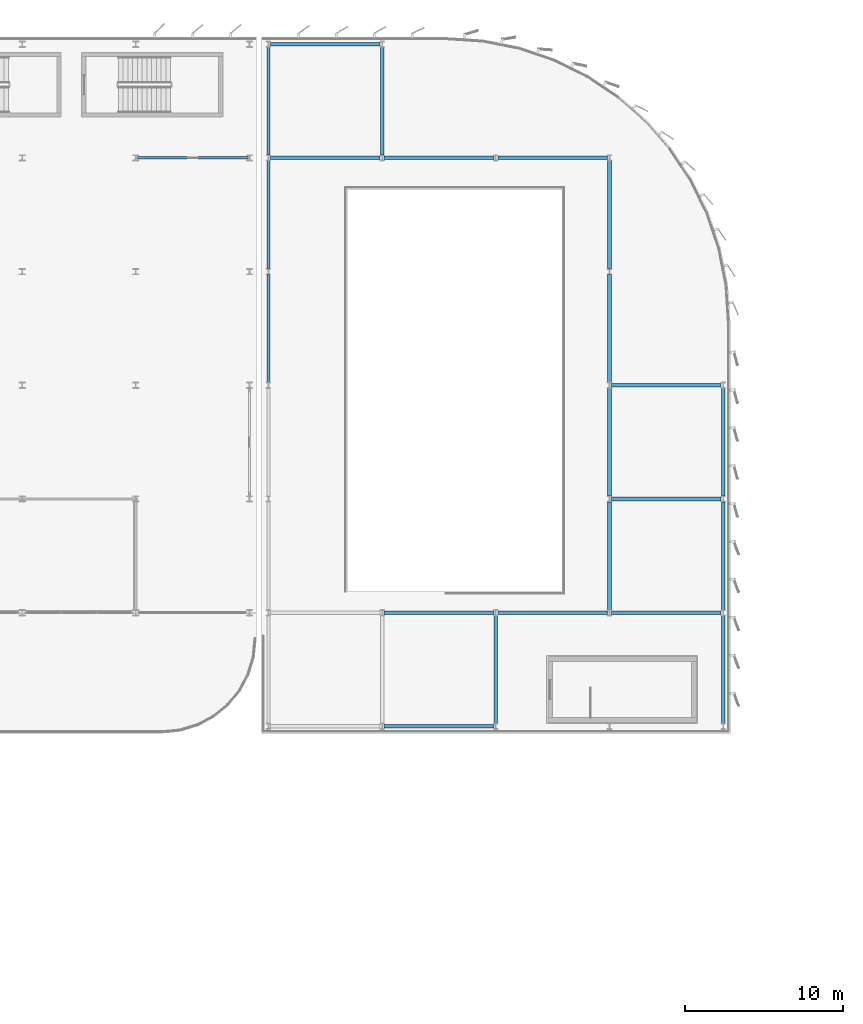
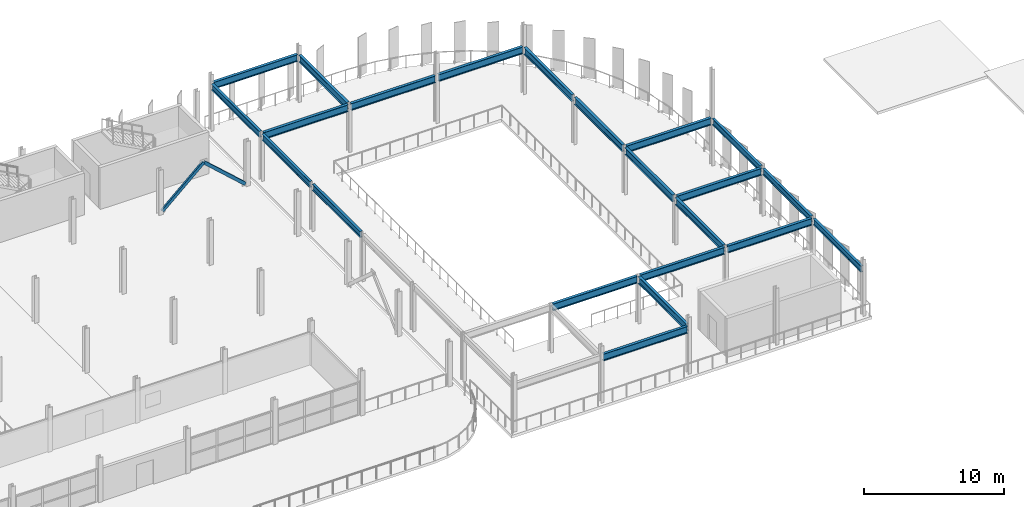
# One storey, part 17 of 40: 22 beams, 2 members.
"""IFC4 building model written with IfcOpenShell, lengths in metres."""

import ifcopenshell
import ifcopenshell.guid

model = None  # the IFC model being written
_history = None  # IfcOwnerHistory: only IFC2X3 demands one
_inside = {}  # id of a spatial element -> (the spatial element, [elements in it])
_under = {}  # id of a project, library or spatial element -> (it, [spatial elements below it])
_declared = {}  # id of a project -> (the project, [libraries it declares])
_typed = {}  # id of a type object -> (the type object, [elements of that type])
_made_of = {}  # id of a material, layer set ... -> (it, [elements and type objects made of it])


def new_model(schema):
    """Start an empty IFC model of exactly this schema.

    Asked for "IFC4X3", IfcOpenShell would pick the latest addendum, in which some entities
    have other attributes; the version numbers below select the first issue.
    IFC2X3 requires an IfcOwnerHistory on every rooted entity: one is made here for all.
    """
    global model, _history
    if schema == "IFC4X3":
        model = ifcopenshell.file(schema_version=(4, 3, 0, 0))
    else:
        model = ifcopenshell.file(schema=schema)
    _inside.clear()
    _under.clear()
    _declared.clear()
    _typed.clear()
    _made_of.clear()
    _history = None
    if model.schema == "IFC2X3":
        org = make("IfcOrganization", Name="unknown")
        user = make(
            "IfcPersonAndOrganization",
            ThePerson=make("IfcPerson", FamilyName="unknown"),
            TheOrganization=org,
        )
        app = make(
            "IfcApplication",
            ApplicationDeveloper=org,
            Version="unknown",
            ApplicationFullName="unknown",
            ApplicationIdentifier="unknown",
        )
        _history = make(
            "IfcOwnerHistory",
            OwningUser=user,
            OwningApplication=app,
            ChangeAction="ADDED",
            CreationDate=0,
        )
    return model


def make(cls, **values):
    """One entity of the class cls with the attributes given. An attribute that is None is left unset."""
    return model.create_entity(
        cls, **{name: value for name, value in values.items() if value is not None}
    )


def rooted(cls, **values):
    """An entity with a GlobalId (a new one), such as an element, a storey or a relation."""
    return make(cls, GlobalId=ifcopenshell.guid.new(), OwnerHistory=_history, **values)


def si_unit(unit_type, name, prefix=None):
    """IfcSIUnit, for example si_unit("LENGTHUNIT", "METRE", prefix="MILLI")."""
    return make("IfcSIUnit", UnitType=unit_type, Prefix=prefix, Name=name)


def assignment(units):
    """IfcUnitAssignment: the units of a project."""
    return None if units is None else make("IfcUnitAssignment", Units=units)


def point(xyz):
    """IfcCartesianPoint."""
    return None if xyz is None else make("IfcCartesianPoint", Coordinates=xyz)


def direction(xyz):
    """IfcDirection."""
    return None if xyz is None else make("IfcDirection", DirectionRatios=xyz)


def frame(location, z_axis=None, x_axis=None):
    """IfcAxis2Placement3D, a coordinate frame: its origin and axes. An axis left out is left unset."""
    return make(
        "IfcAxis2Placement3D",
        Location=point(location),
        Axis=direction(z_axis),
        RefDirection=direction(x_axis),
    )


def frame_2d(location, x_axis=None):
    """IfcAxis2Placement2D, a coordinate frame in the plane: its origin and x axis."""
    return make(
        "IfcAxis2Placement2D", Location=point(location), RefDirection=direction(x_axis)
    )


def origin():
    """The frame at (0, 0, 0) with its axes left unset."""
    return frame((0.0, 0.0, 0.0))


def origin_2d():
    """The frame at (0, 0) in the plane with its x axis left unset."""
    return frame_2d((0.0, 0.0))


def place(relative_to, where):
    """IfcLocalPlacement: puts the frame where relative to a parent placement (None: the world)."""
    return make(
        "IfcLocalPlacement", PlacementRelTo=relative_to, RelativePlacement=where
    )


def context(
    kind, dimensions, precision=None, world=None, true_north=None, identifier=None
):
    """IfcGeometricRepresentationContext, for example the 3D "Model" context."""
    return make(
        "IfcGeometricRepresentationContext",
        ContextIdentifier=identifier,
        ContextType=kind,
        CoordinateSpaceDimension=dimensions,
        Precision=precision,
        WorldCoordinateSystem=world,
        TrueNorth=true_north,
    )


def subcontext(parent, identifier, kind, view, scale=None):
    """IfcGeometricRepresentationSubContext, for example "Body" below "Model"."""
    return make(
        "IfcGeometricRepresentationSubContext",
        ContextIdentifier=identifier,
        ContextType=kind,
        ParentContext=parent,
        TargetScale=scale,
        TargetView=view,
    )


def project(units=None, contexts=None):
    """IfcProject with its units and contexts."""
    return rooted(
        "IfcProject",
        Name="project",
        RepresentationContexts=contexts,
        UnitsInContext=assignment(units),
    )


def spatial(cls, under=None, at=None, **own):
    """A site, building, storey or space (cls), placed at a placement, below another one or the project."""
    s = rooted(cls, ObjectPlacement=at, **own)
    if under is not None:
        _under.setdefault(under.id(), (under, []))[1].append(s)
    return s


def profile(cls, at=None, kind="AREA", **sizes):
    """A parametric profile (cls). Its sizes go by their IFC names, for example OverallWidth=200.0."""
    return make(cls, ProfileType=kind, Position=at, **sizes)


def hollow_rectangle(**sizes):
    """IfcRectangleHollowProfileDef."""
    return profile("IfcRectangleHollowProfileDef", **sizes)


def i_section(**sizes):
    """IfcIShapeProfileDef."""
    return profile("IfcIShapeProfileDef", **sizes)


def extrude(swept, where, along, depth):
    """IfcExtrudedAreaSolid: the profile swept, set in the frame where, extruded along a direction by depth."""
    return make(
        "IfcExtrudedAreaSolid",
        SweptArea=swept,
        Position=where,
        ExtrudedDirection=direction(along),
        Depth=depth,
    )


def shape(context_of_items, identifier, shape_type, items):
    """IfcShapeRepresentation: the items that make up one representation, for example the "Body"."""
    return make(
        "IfcShapeRepresentation",
        ContextOfItems=context_of_items,
        RepresentationIdentifier=identifier,
        RepresentationType=shape_type,
        Items=items,
    )


def material(Name=None, Category=None):
    """IfcMaterial."""
    return make("IfcMaterial", Name=Name, Category=Category)


def material_profile(
    of_material, cross_section, Name=None, Category=None, Priority=None
):
    """IfcMaterialProfile: a cross section and its material."""
    return make(
        "IfcMaterialProfile",
        Name=Name,
        Material=of_material,
        Profile=cross_section,
        Priority=Priority,
        Category=Category,
    )


def profile_set(profiles, Name=None, composite=None):
    """IfcMaterialProfileSet."""
    return make(
        "IfcMaterialProfileSet",
        Name=Name,
        MaterialProfiles=profiles,
        CompositeProfile=composite,
    )


def made_of(thing, what):
    """Note that an element or type object is made of a material, layer set ...; save() writes the relation."""
    if what is not None:
        _made_of.setdefault(what.id(), (what, []))[1].append(thing)
    return thing


def type_object(cls, material=None, **own):
    """A type object (cls), such as IfcWallType, which elements share."""
    return made_of(rooted(cls, **own), material)


def element(
    cls,
    number,
    at=None,
    inside=None,
    cuts=None,
    type_object=None,
    material=None,
    context=None,
    identifier="Body",
    shape_type=None,
    held_by="IfcProductDefinitionShape",
    body=None,
    shapes=None,
    **own,
):
    """One element of the class cls, such as IfcWall. Its Tag is "e" and its number.

    at: its placement. inside: the storey or other place that contains it. cuts: it is an
    opening in that element (IfcRelVoidsElement). A single representation is given by context,
    identifier, shape_type and body (its items); several are given by shapes. held_by: the class
    of the entity that holds the representations. save() writes the other relations.
    """
    e = rooted(cls, Tag="e%d" % number, ObjectPlacement=at, **own)
    if body is not None:
        shapes = [shape(context, identifier, shape_type, body)]
    if shapes is not None:
        e.Representation = make(held_by, Representations=shapes)
    if inside is not None:
        _inside.setdefault(inside.id(), (inside, []))[1].append(e)
    if cuts is not None:
        rooted(
            "IfcRelVoidsElement", RelatingBuildingElement=cuts, RelatedOpeningElement=e
        )
    if type_object is not None:
        _typed.setdefault(type_object.id(), (type_object, []))[1].append(e)
    return made_of(e, material)


def aggregate(whole, parts):
    """IfcRelAggregates: a whole, such as a stair, and the parts it consists of."""
    return rooted("IfcRelAggregates", RelatingObject=whole, RelatedObjects=parts)


def save(model, path):
    """Write the relations noted so far, then the file.

    IfcRelAggregates (storeys below a building ...), IfcRelContainedInSpatialStructure (elements
    in a storey), IfcRelDefinesByType, IfcRelAssociatesMaterial and IfcRelDeclares: one each for
    every whole, place, type object, material and project.
    """
    for whole, parts in _under.values():
        aggregate(whole, parts)
    for where, things in _inside.values():
        rooted(
            "IfcRelContainedInSpatialStructure",
            RelatedElements=things,
            RelatingStructure=where,
        )
    for kind, things in _typed.values():
        rooted("IfcRelDefinesByType", RelatedObjects=things, RelatingType=kind)
    for what, things in _made_of.values():
        rooted("IfcRelAssociatesMaterial", RelatedObjects=things, RelatingMaterial=what)
    for by, libraries in _declared.values():
        rooted("IfcRelDeclares", RelatingContext=by, RelatedDefinitions=libraries)
    model.write(path)


model = new_model("IFC4")

# Units and contexts
model_context = context("Model", 3, precision=1e-05, world=origin(), true_north=direction((0.0, 1.0)))
body_context = subcontext(model_context, "Body", "Model", "MODEL_VIEW")
ifc_project = project(units=[si_unit("LENGTHUNIT", "METRE"), si_unit("AREAUNIT", "SQUARE_METRE"), si_unit("VOLUMEUNIT", "CUBIC_METRE"), si_unit("PLANEANGLEUNIT", "RADIAN"), si_unit("MASSUNIT", "GRAM", prefix="KILO")], contexts=[model_context])

# Site, building, storey
site_placement = place(None, origin())
site = spatial("IfcSite", under=ifc_project, at=site_placement, CompositionType="ELEMENT")
building_placement = place(site_placement, origin())
building = spatial("IfcBuilding", under=site, at=building_placement, Name="Vaelcorin Mobility Hub", CompositionType="ELEMENT")
storey_placement = place(building_placement, frame((0.0, 0.0, 17.10009765625)))
storey = spatial("IfcBuildingStorey", under=building, at=storey_placement, Name="L04", CompositionType="ELEMENT", Elevation=17.10009765625)

# Beams
ifc_material_1 = material(Name="Steel ASTM A992 Grade 50", Category="steel")
ifc_material_profile_1 = material_profile(ifc_material_1, i_section(OverallWidth=0.2099609375, OverallDepth=0.535888671875, WebThickness=0.010986328125, FlangeThickness=0.017333984375, FilletRadius=0.013916015625, at=origin_2d()), Name="W21X68")
ifc_profile_set_1 = profile_set([ifc_material_profile_1], Name="Steel ASTM A992 Grade 50")
beam_type_1 = type_object("IfcBeamType", Name="BM-W21X68", PredefinedType="SPANDREL", material=ifc_profile_set_1)
beam_1_placement = place(storey_placement, frame((123.60009765625, 98.580078125, 3.8818359375), z_axis=(0.0, 1.0, 0.0), x_axis=(-1.0, 0.0, 0.0)))
element("IfcBeam", 1, at=beam_1_placement, inside=storey, type_object=beam_type_1, Name="L04 Beam V2E-L04-GY-01-04", PredefinedType="SPANDREL", context=body_context, shape_type="SweptSolid", body=[
    extrude(i_section(OverallWidth=0.2099609375, OverallDepth=0.535888671875, WebThickness=0.010986328125, FlangeThickness=0.017333984375, FilletRadius=0.013916015625, at=origin_2d()), origin(), (0.0, 0.0, 1.0), 6.83984375),
])
for number, where, z_axis, x_axis, name in (
    (2, (123.60009765625, 105.780029296875, 3.8818359375), (0.0, 1.0, 0.0), (-1.0, 0.0, 0.0), "L04 Beam V2E-L04-GY-01-05"),
    (3, (123.60009765625, 112.97998046875, 3.8818359375), (0.0, 1.0, 0.0), (-1.0, 0.0, 0.0), "L04 Beam V2E-L04-GY-01-06"),
    (4, (152.39990234375, 76.97998046875, 3.8818359375), (0.0, 1.0, 0.0), (-1.0, 0.0, 0.0), "L04 Beam V2E-L04-GY-05-01"),
    (5, (152.39990234375, 84.179931640625, 3.8818359375), (0.0, 1.0, 0.0), (-1.0, 0.0, 0.0), "L04 Beam V2E-L04-GY-05-02"),
    (6, (152.39990234375, 91.3798828125, 3.8818359375), (0.0, 1.0, 0.0), (-1.0, 0.0, 0.0), "L04 Beam V2E-L04-GY-05-03"),
):
    element("IfcBeam", number, at=place(storey_placement, frame(where, z_axis=z_axis, x_axis=x_axis)), inside=storey, type_object=beam_type_1, Name=name, PredefinedType="SPANDREL", context=body_context, shape_type="SweptSolid", body=[
        extrude(i_section(OverallWidth=0.2099609375, OverallDepth=0.535888671875, WebThickness=0.010986328125, FlangeThickness=0.017333984375, FilletRadius=0.013916015625, at=origin_2d()), origin(), (0.0, 0.0, 1.0), 6.840087890625),
    ])
ifc_material_profile_2 = material_profile(ifc_material_1, i_section(OverallWidth=0.22802734375, OverallDepth=0.60205078125, WebThickness=0.010498046875, FlangeThickness=0.014892578125, FilletRadius=0.014892578125, at=origin_2d()), Name="W24X68")
ifc_profile_set_2 = profile_set([ifc_material_profile_2], Name="Steel ASTM A992 Grade 50")
beam_type_2 = type_object("IfcBeamType", Name="BM-W24X68", PredefinedType="SPANDREL", material=ifc_profile_set_2)
for number, where, z_axis, x_axis, name in (
    (7, (130.926025390625, 76.800048828125, 3.848876953125), (1.0, 0.0, 0.0), (0.0, 1.0, 0.0), "L04 Beam V2E-L04-GX-01-02"),
    (8, (123.72607421875, 120.0, 3.848876953125), (1.0, 0.0, 0.0), (0.0, 1.0, 0.0), "L04 Beam V2E-L04-GX-07-01"),
):
    element("IfcBeam", number, at=place(storey_placement, frame(where, z_axis=z_axis, x_axis=x_axis)), inside=storey, type_object=beam_type_2, Name=name, PredefinedType="SPANDREL", context=body_context, shape_type="SweptSolid", body=[
        extrude(i_section(OverallWidth=0.22802734375, OverallDepth=0.60205078125, WebThickness=0.010498046875, FlangeThickness=0.014892578125, FilletRadius=0.014892578125, at=origin_2d()), origin(), (0.0, 0.0, 1.0), 6.947998046875),
    ])
ifc_material_profile_3 = material_profile(ifc_material_1, i_section(OverallWidth=0.22900390625, OverallDepth=0.612060546875, WebThickness=0.011962890625, FlangeThickness=0.01953125, FilletRadius=0.014892578125, at=origin_2d()), Name="W24X84")
ifc_profile_set_3 = profile_set([ifc_material_profile_3], Name="Steel ASTM A992 Grade 50")
beam_type_3 = type_object("IfcBeamType", Name="BM-W24X84", PredefinedType="BEAM", material=ifc_profile_set_3)
for number, where, z_axis, x_axis, name in (
    (9, (130.926025390625, 84.0, 3.843994140625), (1.0, 0.0, 0.0), (0.0, 1.0, 0.0), "L04 Beam V2E-L04-GX-02-02"),
    (10, (138.1259765625, 84.0, 3.843994140625), (1.0, 0.0, 0.0), (0.0, 1.0, 0.0), "L04 Beam V2E-L04-GX-02-03"),
    (11, (145.325927734375, 84.0, 3.843994140625), (1.0, 0.0, 0.0), (0.0, 1.0, 0.0), "L04 Beam V2E-L04-GX-02-04"),
    (12, (145.325927734375, 91.199951171875, 3.843994140625), (1.0, 0.0, 0.0), (0.0, 1.0, 0.0), "L04 Beam V2E-L04-GX-03-04"),
    (13, (145.325927734375, 98.39990234375, 3.843994140625), (1.0, 0.0, 0.0), (0.0, 1.0, 0.0), "L04 Beam V2E-L04-GX-04-04"),
    (14, (123.72607421875, 112.800048828125, 3.843994140625), (1.0, 0.0, 0.0), (0.0, 1.0, 0.0), "L04 Beam V2E-L04-GX-06-01"),
    (15, (130.926025390625, 112.800048828125, 3.843994140625), (1.0, 0.0, 0.0), (0.0, 1.0, 0.0), "L04 Beam V2E-L04-GX-06-02"),
    (16, (138.1259765625, 112.800048828125, 3.843994140625), (1.0, 0.0, 0.0), (0.0, 1.0, 0.0), "L04 Beam V2E-L04-GX-06-03"),
):
    element("IfcBeam", number, at=place(storey_placement, frame(where, z_axis=z_axis, x_axis=x_axis)), inside=storey, type_object=beam_type_3, Name=name, PredefinedType="BEAM", context=body_context, shape_type="SweptSolid", body=[
        extrude(i_section(OverallWidth=0.22900390625, OverallDepth=0.612060546875, WebThickness=0.011962890625, FlangeThickness=0.01953125, FilletRadius=0.014892578125, at=origin_2d()), origin(), (0.0, 0.0, 1.0), 6.947998046875),
    ])
for number, where, z_axis, x_axis, name in (
    (17, (130.800048828125, 112.97998046875, 3.843994140625), (0.0, 1.0, 0.0), (-1.0, 0.0, 0.0), "L04 Beam V2E-L04-GY-02-06"),
    (18, (138.0, 76.97998046875, 3.843994140625), (0.0, 1.0, 0.0), (-1.0, 0.0, 0.0), "L04 Beam V2E-L04-GY-03-01"),
    (19, (145.199951171875, 84.179931640625, 3.843994140625), (0.0, 1.0, 0.0), (-1.0, 0.0, 0.0), "L04 Beam V2E-L04-GY-04-02"),
    (20, (145.199951171875, 91.3798828125, 3.843994140625), (0.0, 1.0, 0.0), (-1.0, 0.0, 0.0), "L04 Beam V2E-L04-GY-04-03"),
):
    element("IfcBeam", number, at=place(storey_placement, frame(where, z_axis=z_axis, x_axis=x_axis)), inside=storey, type_object=beam_type_3, Name=name, PredefinedType="BEAM", context=body_context, shape_type="SweptSolid", body=[
        extrude(i_section(OverallWidth=0.22900390625, OverallDepth=0.612060546875, WebThickness=0.011962890625, FlangeThickness=0.01953125, FilletRadius=0.014892578125, at=origin_2d()), origin(), (0.0, 0.0, 1.0), 6.840087890625),
    ])
beam_2_placement = place(storey_placement, frame((145.199951171875, 98.580078125, 3.843994140625), z_axis=(0.0, 1.0, 0.0), x_axis=(-1.0, 0.0, 0.0)))
element("IfcBeam", 21, at=beam_2_placement, inside=storey, type_object=beam_type_3, Name="L04 Beam V2E-L04-GY-04-04", PredefinedType="BEAM", context=body_context, shape_type="SweptSolid", body=[
    extrude(i_section(OverallWidth=0.22900390625, OverallDepth=0.612060546875, WebThickness=0.011962890625, FlangeThickness=0.01953125, FilletRadius=0.014892578125, at=origin_2d()), origin(), (0.0, 0.0, 1.0), 6.83984375),
])
beam_3_placement = place(storey_placement, frame((145.199951171875, 105.780029296875, 3.843994140625), z_axis=(0.0, 1.0, 0.0), x_axis=(-1.0, 0.0, 0.0)))
element("IfcBeam", 22, at=beam_3_placement, inside=storey, type_object=beam_type_3, Name="L04 Beam V2E-L04-GY-04-05", PredefinedType="BEAM", context=body_context, shape_type="SweptSolid", body=[
    extrude(i_section(OverallWidth=0.22900390625, OverallDepth=0.612060546875, WebThickness=0.011962890625, FlangeThickness=0.01953125, FilletRadius=0.014892578125, at=origin_2d()), origin(), (0.0, 0.0, 1.0), 6.840087890625),
])

# Members
ifc_material_2 = material(Name="Steel ASTM A500 Grade C", Category="steel")
ifc_material_profile_4 = material_profile(ifc_material_2, hollow_rectangle(XDim=0.15234375, YDim=0.25390625, WallThickness=0.01171875, at=origin_2d()), Name="HSS10X6X0.500")
ifc_profile_set_4 = profile_set([ifc_material_profile_4], Name="Steel ASTM A500 Grade C")
member_type = type_object("IfcMemberType", Name="BR-SCBF-10X6", PredefinedType="BRACE", material=ifc_profile_set_4)
member_1_placement = place(storey_placement, frame((115.389892578125, 112.800048828125, 0.179931640625), z_axis=(0.74319360332, 0.0, 0.669076429106), x_axis=(0.0, 1.0, 0.0)))
element("IfcMember", 23, at=member_1_placement, inside=storey, type_object=member_type, Name="SCBF Chevron Brace V4-BX2-L04-A", PredefinedType="BRACE", context=body_context, shape_type="SweptSolid", body=[
    extrude(hollow_rectangle(XDim=0.15234375, YDim=0.25390625, WallThickness=0.01171875, at=origin_2d()), origin(), (0.0, 0.0, 1.0), 4.588623046875),
])
member_2_placement = place(storey_placement, frame((122.2099609375, 112.800048828125, 0.179931640625), z_axis=(-0.743169783144, 0.0, 0.669102887022), x_axis=(0.0, -1.0, 0.0)))
element("IfcMember", 24, at=member_2_placement, inside=storey, type_object=member_type, Name="SCBF Chevron Brace V4-BX2-L04-B", PredefinedType="BRACE", context=body_context, shape_type="SweptSolid", body=[
    extrude(hollow_rectangle(XDim=0.15234375, YDim=0.25390625, WallThickness=0.01171875, at=origin_2d()), origin(), (0.0, 0.0, 1.0), 4.58837890625),
])

save(model, "model.ifc")
